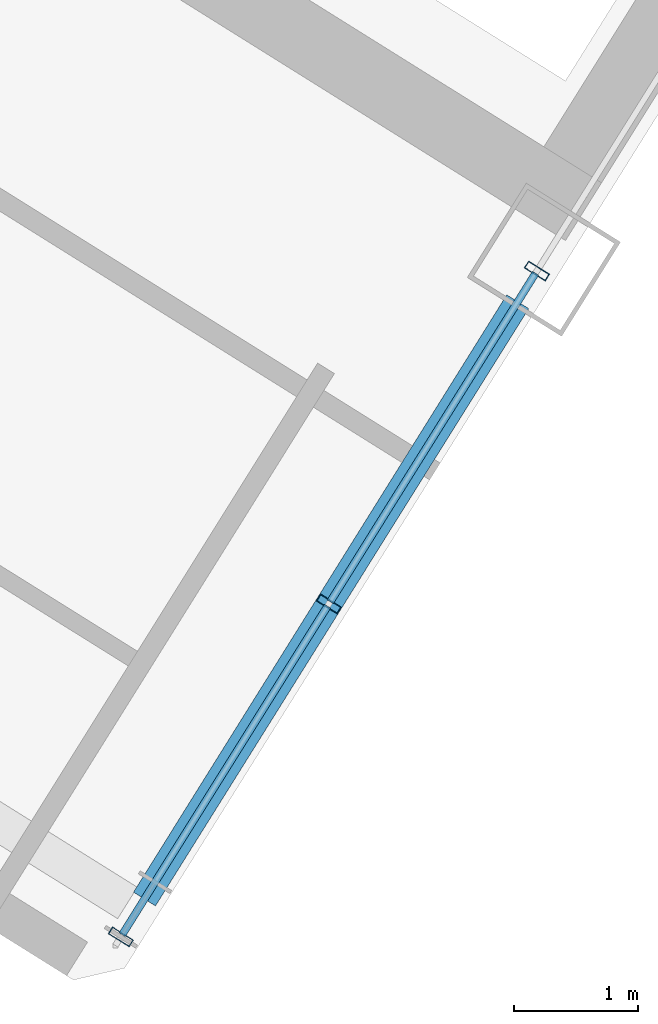
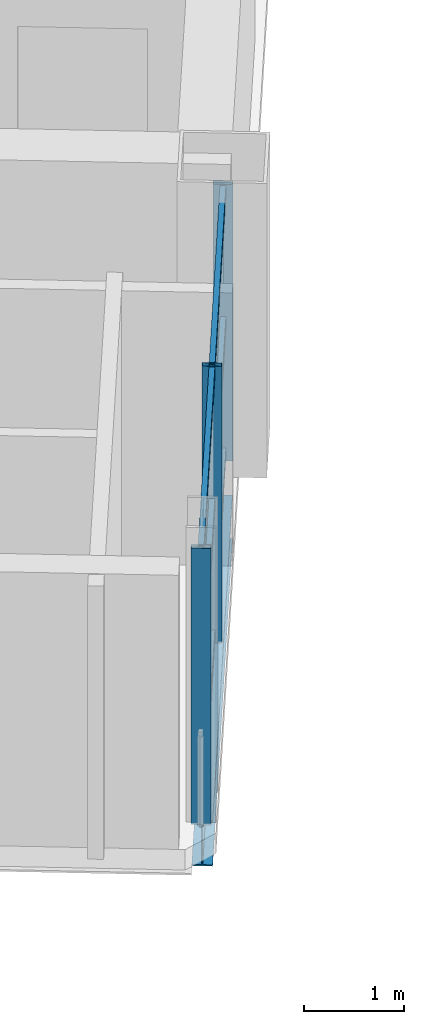
# One storey, part 6 of 19: 9 members, 1 beam, 1 element without a shape of its own.
"""IFC4 building model written with IfcOpenShell, lengths in metres."""

import ifcopenshell
import ifcopenshell.guid

model = None  # the IFC model being written
_history = None  # IfcOwnerHistory: only IFC2X3 demands one
_inside = {}  # id of a spatial element -> (the spatial element, [elements in it])
_under = {}  # id of a project, library or spatial element -> (it, [spatial elements below it])
_declared = {}  # id of a project -> (the project, [libraries it declares])
_typed = {}  # id of a type object -> (the type object, [elements of that type])
_made_of = {}  # id of a material, layer set ... -> (it, [elements and type objects made of it])


def new_model(schema):
    """Start an empty IFC model of exactly this schema.

    Asked for "IFC4X3", IfcOpenShell would pick the latest addendum, in which some entities
    have other attributes; the version numbers below select the first issue.
    IFC2X3 requires an IfcOwnerHistory on every rooted entity: one is made here for all.
    """
    global model, _history
    if schema == "IFC4X3":
        model = ifcopenshell.file(schema_version=(4, 3, 0, 0))
    else:
        model = ifcopenshell.file(schema=schema)
    _inside.clear()
    _under.clear()
    _declared.clear()
    _typed.clear()
    _made_of.clear()
    _history = None
    if model.schema == "IFC2X3":
        org = make("IfcOrganization", Name="unknown")
        user = make(
            "IfcPersonAndOrganization",
            ThePerson=make("IfcPerson", FamilyName="unknown"),
            TheOrganization=org,
        )
        app = make(
            "IfcApplication",
            ApplicationDeveloper=org,
            Version="unknown",
            ApplicationFullName="unknown",
            ApplicationIdentifier="unknown",
        )
        _history = make(
            "IfcOwnerHistory",
            OwningUser=user,
            OwningApplication=app,
            ChangeAction="ADDED",
            CreationDate=0,
        )
    return model


def make(cls, **values):
    """One entity of the class cls with the attributes given. An attribute that is None is left unset."""
    return model.create_entity(
        cls, **{name: value for name, value in values.items() if value is not None}
    )


def rooted(cls, **values):
    """An entity with a GlobalId (a new one), such as an element, a storey or a relation."""
    return make(cls, GlobalId=ifcopenshell.guid.new(), OwnerHistory=_history, **values)


def si_unit(unit_type, name, prefix=None):
    """IfcSIUnit, for example si_unit("LENGTHUNIT", "METRE", prefix="MILLI")."""
    return make("IfcSIUnit", UnitType=unit_type, Prefix=prefix, Name=name)


def assignment(units):
    """IfcUnitAssignment: the units of a project."""
    return None if units is None else make("IfcUnitAssignment", Units=units)


def point(xyz):
    """IfcCartesianPoint."""
    return None if xyz is None else make("IfcCartesianPoint", Coordinates=xyz)


def direction(xyz):
    """IfcDirection."""
    return None if xyz is None else make("IfcDirection", DirectionRatios=xyz)


def frame(location, z_axis=None, x_axis=None):
    """IfcAxis2Placement3D, a coordinate frame: its origin and axes. An axis left out is left unset."""
    return make(
        "IfcAxis2Placement3D",
        Location=point(location),
        Axis=direction(z_axis),
        RefDirection=direction(x_axis),
    )


def frame_2d(location, x_axis=None):
    """IfcAxis2Placement2D, a coordinate frame in the plane: its origin and x axis."""
    return make(
        "IfcAxis2Placement2D", Location=point(location), RefDirection=direction(x_axis)
    )


def origin():
    """The frame at (0, 0, 0) with its axes left unset."""
    return frame((0.0, 0.0, 0.0))


def origin_2d():
    """The frame at (0, 0) in the plane with its x axis left unset."""
    return frame_2d((0.0, 0.0))


def place(relative_to, where):
    """IfcLocalPlacement: puts the frame where relative to a parent placement (None: the world)."""
    return make(
        "IfcLocalPlacement", PlacementRelTo=relative_to, RelativePlacement=where
    )


def context(
    kind, dimensions, precision=None, world=None, true_north=None, identifier=None
):
    """IfcGeometricRepresentationContext, for example the 3D "Model" context."""
    return make(
        "IfcGeometricRepresentationContext",
        ContextIdentifier=identifier,
        ContextType=kind,
        CoordinateSpaceDimension=dimensions,
        Precision=precision,
        WorldCoordinateSystem=world,
        TrueNorth=true_north,
    )


def subcontext(parent, identifier, kind, view, scale=None):
    """IfcGeometricRepresentationSubContext, for example "Body" below "Model"."""
    return make(
        "IfcGeometricRepresentationSubContext",
        ContextIdentifier=identifier,
        ContextType=kind,
        ParentContext=parent,
        TargetScale=scale,
        TargetView=view,
    )


def project(units=None, contexts=None):
    """IfcProject with its units and contexts."""
    return rooted(
        "IfcProject",
        Name="project",
        RepresentationContexts=contexts,
        UnitsInContext=assignment(units),
    )


def spatial(cls, under=None, at=None, **own):
    """A site, building, storey or space (cls), placed at a placement, below another one or the project."""
    s = rooted(cls, ObjectPlacement=at, **own)
    if under is not None:
        _under.setdefault(under.id(), (under, []))[1].append(s)
    return s


def profile(cls, at=None, kind="AREA", **sizes):
    """A parametric profile (cls). Its sizes go by their IFC names, for example OverallWidth=200.0."""
    return make(cls, ProfileType=kind, Position=at, **sizes)


def hollow_rectangle(**sizes):
    """IfcRectangleHollowProfileDef."""
    return profile("IfcRectangleHollowProfileDef", **sizes)


def i_section(**sizes):
    """IfcIShapeProfileDef."""
    return profile("IfcIShapeProfileDef", **sizes)


def extrude(swept, where, along, depth):
    """IfcExtrudedAreaSolid: the profile swept, set in the frame where, extruded along a direction by depth."""
    return make(
        "IfcExtrudedAreaSolid",
        SweptArea=swept,
        Position=where,
        ExtrudedDirection=direction(along),
        Depth=depth,
    )


def shape(context_of_items, identifier, shape_type, items):
    """IfcShapeRepresentation: the items that make up one representation, for example the "Body"."""
    return make(
        "IfcShapeRepresentation",
        ContextOfItems=context_of_items,
        RepresentationIdentifier=identifier,
        RepresentationType=shape_type,
        Items=items,
    )


def source(mapping_origin, context_of_items, identifier, shape_type, items):
    """IfcRepresentationMap: a shape defined once, which mapped items show again and again."""
    return make(
        "IfcRepresentationMap",
        MappingOrigin=mapping_origin,
        MappedRepresentation=shape(context_of_items, identifier, shape_type, items),
    )


def transform(
    local_origin,
    x_axis=None,
    y_axis=None,
    z_axis=None,
    scale=None,
    scale2=None,
    scale3=None,
    uniform=True,
):
    """IfcCartesianTransformationOperator3D, or its non-uniform kind. x_axis, y_axis, z_axis: its Axis1, 2, 3."""
    if uniform:
        return make(
            "IfcCartesianTransformationOperator3D",
            Axis1=direction(x_axis),
            Axis2=direction(y_axis),
            LocalOrigin=point(local_origin),
            Scale=scale,
            Axis3=direction(z_axis),
        )
    return make(
        "IfcCartesianTransformationOperator3DnonUniform",
        Axis1=direction(x_axis),
        Axis2=direction(y_axis),
        LocalOrigin=point(local_origin),
        Scale=scale,
        Axis3=direction(z_axis),
        Scale2=scale2,
        Scale3=scale3,
    )


def mapped(mapping_source, mapping_target):
    """IfcMappedItem: shows the shape of a source again, moved by a transform."""
    return make(
        "IfcMappedItem", MappingSource=mapping_source, MappingTarget=mapping_target
    )


def material(Name=None, Category=None):
    """IfcMaterial."""
    return make("IfcMaterial", Name=Name, Category=Category)


def material_profile(
    of_material, cross_section, Name=None, Category=None, Priority=None
):
    """IfcMaterialProfile: a cross section and its material."""
    return make(
        "IfcMaterialProfile",
        Name=Name,
        Material=of_material,
        Profile=cross_section,
        Priority=Priority,
        Category=Category,
    )


def profile_set(profiles, Name=None, composite=None):
    """IfcMaterialProfileSet."""
    return make(
        "IfcMaterialProfileSet",
        Name=Name,
        MaterialProfiles=profiles,
        CompositeProfile=composite,
    )


def made_of(thing, what):
    """Note that an element or type object is made of a material, layer set ...; save() writes the relation."""
    if what is not None:
        _made_of.setdefault(what.id(), (what, []))[1].append(thing)
    return thing


def type_object(cls, material=None, **own):
    """A type object (cls), such as IfcWallType, which elements share."""
    return made_of(rooted(cls, **own), material)


def element(
    cls,
    number,
    at=None,
    inside=None,
    cuts=None,
    type_object=None,
    material=None,
    context=None,
    identifier="Body",
    shape_type=None,
    held_by="IfcProductDefinitionShape",
    body=None,
    shapes=None,
    **own,
):
    """One element of the class cls, such as IfcWall. Its Tag is "e" and its number.

    at: its placement. inside: the storey or other place that contains it. cuts: it is an
    opening in that element (IfcRelVoidsElement). A single representation is given by context,
    identifier, shape_type and body (its items); several are given by shapes. held_by: the class
    of the entity that holds the representations. save() writes the other relations.
    """
    e = rooted(cls, Tag="e%d" % number, ObjectPlacement=at, **own)
    if body is not None:
        shapes = [shape(context, identifier, shape_type, body)]
    if shapes is not None:
        e.Representation = make(held_by, Representations=shapes)
    if inside is not None:
        _inside.setdefault(inside.id(), (inside, []))[1].append(e)
    if cuts is not None:
        rooted(
            "IfcRelVoidsElement", RelatingBuildingElement=cuts, RelatedOpeningElement=e
        )
    if type_object is not None:
        _typed.setdefault(type_object.id(), (type_object, []))[1].append(e)
    return made_of(e, material)


def aggregate(whole, parts):
    """IfcRelAggregates: a whole, such as a stair, and the parts it consists of."""
    return rooted("IfcRelAggregates", RelatingObject=whole, RelatedObjects=parts)


def save(model, path):
    """Write the relations noted so far, then the file.

    IfcRelAggregates (storeys below a building ...), IfcRelContainedInSpatialStructure (elements
    in a storey), IfcRelDefinesByType, IfcRelAssociatesMaterial and IfcRelDeclares: one each for
    every whole, place, type object, material and project.
    """
    for whole, parts in _under.values():
        aggregate(whole, parts)
    for where, things in _inside.values():
        rooted(
            "IfcRelContainedInSpatialStructure",
            RelatedElements=things,
            RelatingStructure=where,
        )
    for kind, things in _typed.values():
        rooted("IfcRelDefinesByType", RelatedObjects=things, RelatingType=kind)
    for what, things in _made_of.values():
        rooted("IfcRelAssociatesMaterial", RelatedObjects=things, RelatingMaterial=what)
    for by, libraries in _declared.values():
        rooted("IfcRelDeclares", RelatingContext=by, RelatedDefinitions=libraries)
    model.write(path)


model = new_model("IFC4")

# Units and contexts
model_context = context("Model", 3, precision=1e-05, world=origin(), true_north=direction((0.0, 1.0)))
body_context = subcontext(model_context, "Body", "Model", "MODEL_VIEW")
ifc_project = project(units=[si_unit("LENGTHUNIT", "METRE"), si_unit("AREAUNIT", "SQUARE_METRE"), si_unit("VOLUMEUNIT", "CUBIC_METRE"), si_unit("PLANEANGLEUNIT", "RADIAN"), si_unit("MASSUNIT", "GRAM", prefix="KILO")], contexts=[model_context])

# Site, building, storey
site_placement = place(None, origin())
site = spatial("IfcSite", under=ifc_project, at=site_placement, CompositionType="ELEMENT")
building_placement = place(site_placement, origin())
building = spatial("IfcBuilding", under=site, at=building_placement, Name="Tlacorven Tower", CompositionType="ELEMENT")
storey_placement = place(building_placement, frame((0.0, 0.0, 147.89990234375)))
storey = spatial("IfcBuildingStorey", under=building, at=storey_placement, Name="L37", CompositionType="ELEMENT", Elevation=147.89990234375)

# Beam
ifc_material_1 = material(Name="Steel S355J2", Category="steel")
ifc_material_profile_1 = material_profile(ifc_material_1, i_section(OverallWidth=0.2099609375, OverallDepth=0.550048828125, WebThickness=0.010986328125, FlangeThickness=0.01708984375, at=origin_2d()), Name="IPE 550")
ifc_profile_set_1 = profile_set([ifc_material_profile_1], Name="Steel S355J2")
beam_type = type_object("IfcBeamType", Name="BM-TWR-550", PredefinedType="BEAM", material=ifc_profile_set_1)
shared_shape_1 = source(origin(), body_context, "Body", "SweptSolid", [
    extrude(i_section(OverallWidth=0.2099609375, OverallDepth=0.550048828125, WebThickness=0.010986328125, FlangeThickness=0.01708984375, at=origin_2d()), origin(), (0.0, 0.0, 1.0), 5.699951171875),
])
beam_placement = place(storey_placement, frame((32.834228515625, 11.74755859375, -0.52490234375), z_axis=(-0.529925785607, -0.848044021115, 0.0), x_axis=(0.848044021115, -0.529925785607, 0.0)))
element("IfcBeam", 1, at=beam_placement, inside=storey, type_object=beam_type, Name="L37 beam BM-L37-WT1-2", PredefinedType="BEAM", context=body_context, shape_type="MappedRepresentation", body=[
    mapped(shared_shape_1, transform((0.0, 0.0, 0.0), scale=1.0)),
])

# Curtain wall, members
ifc_material_2 = material(Name="Dark solar low-E double glazing in aluminium frame", Category="aluminium")
curtain_wall_type = type_object("IfcCurtainWallType", Name="CW-TWR-MID", PredefinedType="USERDEFINED", material=ifc_material_2)
curtain_wall_placement = place(storey_placement, origin())
curtain_wall = element("IfcCurtainWall", 2, at=curtain_wall_placement, inside=storey, type_object=curtain_wall_type, Name="L37 CW-TWR-MID Curtain Wall 165", ObjectType="UNITISED CURTAIN WALL", PredefinedType="USERDEFINED")
ifc_material_3 = material(Name="Aluminium 6063-T6 anodised", Category="aluminium")
ifc_material_profile_2 = material_profile(ifc_material_3, hollow_rectangle(XDim=0.06494140625, YDim=0.199951171875, WallThickness=0.00439453125, at=origin_2d()), Name="ALU MULLION 65X200")
ifc_profile_set_2 = profile_set([ifc_material_profile_2], Name="Aluminium 6063-T6 anodised")
member_type_1 = type_object("IfcMemberType", Name="CWM-02", PredefinedType="MULLION", material=ifc_profile_set_2)
shared_shape_2 = source(origin(), body_context, "Body", "SweptSolid", [
    extrude(hollow_rectangle(XDim=0.06494140625, YDim=0.199951171875, WallThickness=0.00439453125, at=origin_2d()), origin(), (0.0, 0.0, 1.0), 3.380126953125),
])
member_1_placement = place(storey_placement, frame((32.9892578125, 11.99560546875, -0.02001953125), z_axis=(0.0, 0.0, 1.0), x_axis=(-0.529919272078, -0.848048091255, 0.0)))
member_1 = element("IfcMember", 3, at=member_1_placement, type_object=member_type_1, Name="CW-L37-165 Mullion 1", PredefinedType="MULLION", context=body_context, shape_type="MappedRepresentation", body=[
    mapped(shared_shape_2, transform((0.0, 0.0, 0.0), scale=1.0)),
])
member_2_placement = place(storey_placement, frame((31.3056640625, 9.301513671875, -0.02001953125), z_axis=(0.0, 0.0, 1.0), x_axis=(-0.529919272078, -0.848048091255, 0.0)))
member_2 = element("IfcMember", 4, at=member_2_placement, type_object=member_type_1, Name="CW-L37-165 Mullion 2", PredefinedType="MULLION", context=body_context, shape_type="MappedRepresentation", body=[
    mapped(shared_shape_2, transform((0.0, 0.0, 0.0), scale=1.0)),
])
member_3_placement = place(storey_placement, frame((29.622314453125, 6.607421875, -0.02001953125), z_axis=(0.0, 0.0, 1.0), x_axis=(-0.529919272078, -0.848048091255, 0.0)))
member_3 = element("IfcMember", 5, at=member_3_placement, type_object=member_type_1, Name="CW-L37-165 Mullion 3", PredefinedType="MULLION", context=body_context, shape_type="MappedRepresentation", body=[
    mapped(shared_shape_2, transform((0.0, 0.0, 0.0), scale=1.0)),
])
ifc_material_profile_3 = material_profile(ifc_material_3, hollow_rectangle(XDim=0.06005859375, YDim=0.139892578125, WallThickness=0.00390625, at=origin_2d()), Name="ALU TRANSOM 60X140")
ifc_profile_set_3 = profile_set([ifc_material_profile_3], Name="Aluminium 6063-T6 anodised")
member_type_2 = type_object("IfcMemberType", Name="CWT-02", PredefinedType="USERDEFINED", material=ifc_profile_set_3)
shared_shape_3 = source(origin(), body_context, "Body", "SweptSolid", [
    extrude(hollow_rectangle(XDim=0.06005859375, YDim=0.139892578125, WallThickness=0.00390625, at=origin_2d()), origin(), (0.0, 0.0, 1.0), 3.1357421875),
])
member_4_placement = place(storey_placement, frame((32.978271484375, 11.978271484375, 0.070068359375), z_axis=(-0.529914953616, -0.848050789714, 0.0), x_axis=(0.848050789714, -0.529914953616, 0.0)))
member_4 = element("IfcMember", 6, at=member_4_placement, type_object=member_type_2, Name="CW-L37-165 Transom 1", ObjectType="TRANSOM", PredefinedType="USERDEFINED", context=body_context, shape_type="MappedRepresentation", body=[
    mapped(shared_shape_3, transform((0.0, 0.0, 0.0), scale=1.0)),
])
member_5_placement = place(storey_placement, frame((32.978271484375, 11.978271484375, 1.675048828125), z_axis=(-0.529914953616, -0.848050789714, 0.0), x_axis=(0.848050789714, -0.529914953616, 0.0)))
member_5 = element("IfcMember", 7, at=member_5_placement, type_object=member_type_2, Name="CW-L37-165 Transom 2", ObjectType="TRANSOM", PredefinedType="USERDEFINED", context=body_context, shape_type="MappedRepresentation", body=[
    mapped(shared_shape_3, transform((0.0, 0.0, 0.0), scale=1.0)),
])
member_6_placement = place(storey_placement, frame((32.978271484375, 11.978271484375, 3.280029296875), z_axis=(-0.529914953616, -0.848050789714, 0.0), x_axis=(0.848050789714, -0.529914953616, 0.0)))
member_6 = element("IfcMember", 8, at=member_6_placement, type_object=member_type_2, Name="CW-L37-165 Transom 3", ObjectType="TRANSOM", PredefinedType="USERDEFINED", context=body_context, shape_type="MappedRepresentation", body=[
    mapped(shared_shape_3, transform((0.0, 0.0, 0.0), scale=1.0)),
])
shared_shape_4 = source(origin(), body_context, "Body", "SweptSolid", [
    extrude(hollow_rectangle(XDim=0.06005859375, YDim=0.139892578125, WallThickness=0.00390625, at=origin_2d()), origin(), (0.0, 0.0, 1.0), 3.135986328125),
])
member_7_placement = place(storey_placement, frame((31.294921875, 9.2841796875, 0.070068359375), z_axis=(-0.529935957458, -0.848037664843, 0.0), x_axis=(0.848037664843, -0.529935957458, 0.0)))
member_7 = element("IfcMember", 9, at=member_7_placement, type_object=member_type_2, Name="CW-L37-165 Transom 4", ObjectType="TRANSOM", PredefinedType="USERDEFINED", context=body_context, shape_type="MappedRepresentation", body=[
    mapped(shared_shape_4, transform((0.0, 0.0, 0.0), scale=1.0)),
])
member_8_placement = place(storey_placement, frame((31.294921875, 9.2841796875, 1.675048828125), z_axis=(-0.529935957458, -0.848037664843, 0.0), x_axis=(0.848037664843, -0.529935957458, 0.0)))
member_8 = element("IfcMember", 10, at=member_8_placement, type_object=member_type_2, Name="CW-L37-165 Transom 5", ObjectType="TRANSOM", PredefinedType="USERDEFINED", context=body_context, shape_type="MappedRepresentation", body=[
    mapped(shared_shape_4, transform((0.0, 0.0, 0.0), scale=1.0)),
])
member_9_placement = place(storey_placement, frame((31.294921875, 9.2841796875, 3.280029296875), z_axis=(-0.529935957458, -0.848037664843, 0.0), x_axis=(0.848037664843, -0.529935957458, 0.0)))
member_9 = element("IfcMember", 11, at=member_9_placement, type_object=member_type_2, Name="CW-L37-165 Transom 6", ObjectType="TRANSOM", PredefinedType="USERDEFINED", context=body_context, shape_type="MappedRepresentation", body=[
    mapped(shared_shape_4, transform((0.0, 0.0, 0.0), scale=1.0)),
])
aggregate(curtain_wall, [member_1, member_2, member_3, member_4, member_5, member_6, member_7, member_8, member_9])

save(model, "model.ifc")
